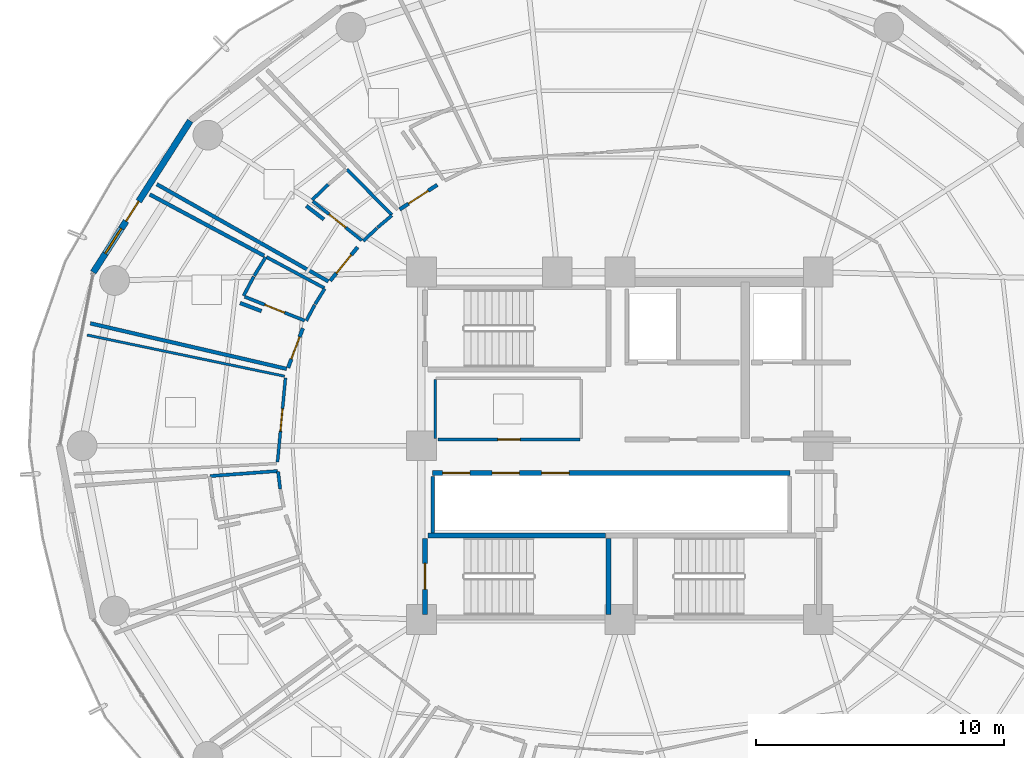
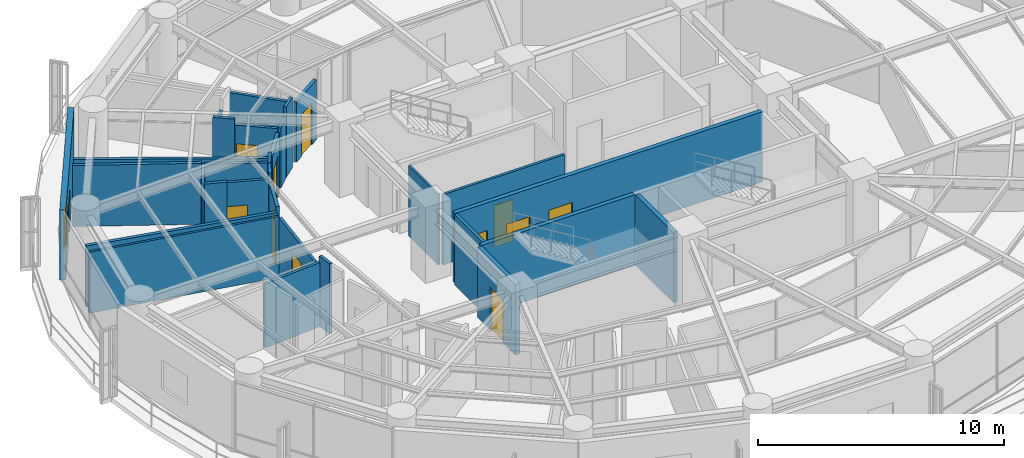
# One storey, part 22 of 27: 31 walls, 12 doors, 1 window, 13 openings.
"""IFC4 building model written with IfcOpenShell, lengths in metres."""

from ifc_helpers import new_model, si_unit, direction, frame, frame_2d, origin, place, context, subcontext, project, spatial, rectangle, extrude, material, layer, layer_set, type_object, element, fill, save


model = new_model("IFC4")

# Units and contexts
model_context = context("Model", 3, precision=1e-05, world=origin(), true_north=direction((0.0, 1.0)))
body_context = subcontext(model_context, "Body", "Model", "MODEL_VIEW")
ifc_project = project(units=[si_unit("LENGTHUNIT", "METRE"), si_unit("AREAUNIT", "SQUARE_METRE"), si_unit("VOLUMEUNIT", "CUBIC_METRE"), si_unit("PLANEANGLEUNIT", "RADIAN"), si_unit("MASSUNIT", "GRAM", prefix="KILO")], contexts=[model_context])

# Site, building, storey
site_placement = place(None, origin())
site = spatial("IfcSite", under=ifc_project, at=site_placement, CompositionType="ELEMENT")
building_placement = place(site_placement, origin())
building = spatial("IfcBuilding", under=site, at=building_placement, Name="Kelanora Arch Commons", CompositionType="ELEMENT")
storey_placement = place(building_placement, frame((0.0, 0.0, 143.10009765625)))
storey = spatial("IfcBuildingStorey", under=building, at=storey_placement, Name="L36", CompositionType="ELEMENT", Elevation=143.10009765625)

# Wall
ifc_material_1 = material(Name="Autoclaved aerated concrete blockwork with fire plaster", Category="masonry")
ifc_layer_1 = layer(ifc_material_1, 0.14990234375)
ifc_layer_set_1 = layer_set([ifc_layer_1], Name="Autoclaved aerated concrete blockwork with fire plaster")
wall_type_1 = type_object("IfcWallType", Name="W-COMP-150", PredefinedType="PARTITIONING", material=ifc_layer_set_1)
wall_1_placement = place(storey_placement, frame((66.4599609375, 54.47998046875, 0.0), z_axis=(0.0, 0.0, 1.0), x_axis=(0.0, 1.0, 0.0)))
element("IfcWall", 1, at=wall_1_placement, inside=storey, type_object=wall_type_1, Name="South Lift Bank West Wall L36", PredefinedType="PARTITIONING", context=body_context, shape_type="SweptSolid", body=[
    extrude(rectangle(XDim=2.2900390625, YDim=0.14990234375, at=frame_2d((1.14501953125, 0.0))), origin(), (0.0, 0.0, 1.0), 3.47998046875),
])

# Wall, opening, door
wall_2_placement = place(storey_placement, frame((66.63671875, 68.51708984375, 0.0), z_axis=(0.0, 0.0, 1.0), x_axis=(-0.836795974783, -0.547514836864, 0.0)))
wall_2 = element("IfcWall", 2, at=wall_2_placement, inside=storey, type_object=wall_type_1, Name="Cluster Bedroom L36-01 Entry Partition", PredefinedType="PARTITIONING", context=body_context, shape_type="SweptSolid", body=[
    extrude(rectangle(XDim=1.80859375, YDim=0.14990234375, at=frame_2d((0.904296875, 0.0))), origin(), (0.0, 0.0, 1.0), 2.974853515625),
])
opening_1_placement = place(wall_2_placement, frame((0.428955078125, 0.0, 0.0)))
opening_1 = element("IfcOpeningElement", 3, at=opening_1_placement, cuts=wall_2, Name="Opening D-CLU1", PredefinedType="OPENING", context=body_context, shape_type="SweptSolid", body=[
    extrude(rectangle(XDim=0.949951171875, YDim=2.080078125, at=frame_2d((0.47509765625, 1.0400390625))), frame((0.0, 0.0849609375, 0.0), z_axis=(0.0, -1.0, 0.0), x_axis=(1.0, 0.0, 0.0)), (0.0, 0.0, 1.0), 0.169921875),
])
ifc_material_2 = material(Name="Solid-core acoustic timber cluster entry fire door", Category="wood")
door_type_1 = type_object("IfcDoorType", Name="D-CLU-95", OperationType="NOTDEFINED", PredefinedType="DOOR", material=ifc_material_2)
door_1_placement = place(opening_1_placement, origin())
door_1 = element("IfcDoor", 4, at=door_1_placement, inside=storey, type_object=door_type_1, Name="Cluster Bedroom L36-01 Door", OperationType="SINGLE_SWING_LEFT", OverallHeight=2.080078125, OverallWidth=0.949951171875, PredefinedType="DOOR", context=body_context, shape_type="SweptSolid", body=[
    extrude(rectangle(XDim=0.949951171875, YDim=2.080078125, at=frame_2d((0.47509765625, 1.0400390625))), frame((0.0, 0.02490234375, 0.0), z_axis=(0.0, -1.0, 0.0), x_axis=(1.0, 0.0, 0.0)), (0.0, 0.0, 1.0), 0.050048828125),
])
fill(opening_1, door_1)

wall_3_placement = place(storey_placement, frame((63.426025390625, 66.005615234375, 0.0), z_axis=(0.0, 0.0, 1.0), x_axis=(-0.63192798372, -0.775027111391, 0.0)))
wall_3 = element("IfcWall", 5, at=wall_3_placement, inside=storey, type_object=wall_type_1, Name="Cluster Bedroom L36-02 Entry Partition", PredefinedType="PARTITIONING", context=body_context, shape_type="SweptSolid", body=[
    extrude(rectangle(XDim=1.7470703125, YDim=0.14990234375, at=frame_2d((0.87353515625, 0.0))), origin(), (0.0, 0.0, 1.0), 2.974853515625),
])
opening_2_placement = place(wall_3_placement, frame((0.39892578125, 0.0, 0.0)))
opening_2 = element("IfcOpeningElement", 6, at=opening_2_placement, cuts=wall_3, Name="Opening D-CLU1", PredefinedType="OPENING", context=body_context, shape_type="SweptSolid", body=[
    extrude(rectangle(XDim=0.949951171875, YDim=2.080078125, at=frame_2d((0.47509765625, 1.0400390625))), frame((0.0, 0.0849609375, 0.0), z_axis=(0.0, -1.0, 0.0), x_axis=(1.0, 0.0, 0.0)), (0.0, 0.0, 1.0), 0.169921875),
])
door_2_placement = place(opening_2_placement, origin())
door_2 = element("IfcDoor", 7, at=door_2_placement, inside=storey, type_object=door_type_1, Name="Cluster Bedroom L36-02 Door", OperationType="SINGLE_SWING_LEFT", OverallHeight=2.080078125, OverallWidth=0.949951171875, PredefinedType="DOOR", context=body_context, shape_type="SweptSolid", body=[
    extrude(rectangle(XDim=0.949951171875, YDim=2.080078125, at=frame_2d((0.47509765625, 1.0400390625))), frame((0.0, 0.02490234375, 0.0), z_axis=(0.0, -1.0, 0.0), x_axis=(1.0, 0.0, 0.0)), (0.0, 0.0, 1.0), 0.050048828125),
])
fill(opening_2, door_2)

wall_4_placement = place(storey_placement, frame((61.218017578125, 62.73583984375, 0.0), z_axis=(0.0, 0.0, 1.0), x_axis=(-0.349718783302, -0.93685472332, 0.0)))
wall_4 = element("IfcWall", 8, at=wall_4_placement, inside=storey, type_object=wall_type_1, Name="Cluster Bedroom L36-03 Entry Partition", PredefinedType="PARTITIONING", context=body_context, shape_type="SweptSolid", body=[
    extrude(rectangle(XDim=1.69580078125, YDim=0.14990234375, at=frame_2d((0.847900390625, 0.0))), origin(), (0.0, 0.0, 1.0), 3.23486328125),
])
opening_3_placement = place(wall_4_placement, frame((0.373046875, 0.0, 0.0)))
opening_3 = element("IfcOpeningElement", 9, at=opening_3_placement, cuts=wall_4, Name="Opening D-CLU1", PredefinedType="OPENING", context=body_context, shape_type="SweptSolid", body=[
    extrude(rectangle(XDim=0.949951171875, YDim=2.080078125, at=frame_2d((0.47509765625, 1.0400390625))), frame((0.0, 0.0849609375, 0.0), z_axis=(0.0, -1.0, 0.0), x_axis=(1.0, 0.0, 0.0)), (0.0, 0.0, 1.0), 0.169921875),
])
door_3_placement = place(opening_3_placement, origin())
door_3 = element("IfcDoor", 10, at=door_3_placement, inside=storey, type_object=door_type_1, Name="Cluster Bedroom L36-03 Door", OperationType="SINGLE_SWING_LEFT", OverallHeight=2.080078125, OverallWidth=0.949951171875, PredefinedType="DOOR", context=body_context, shape_type="SweptSolid", body=[
    extrude(rectangle(XDim=0.949951171875, YDim=2.080078125, at=frame_2d((0.47509765625, 1.0400390625))), frame((0.0, 0.02490234375, 0.0), z_axis=(0.0, -1.0, 0.0), x_axis=(1.0, 0.0, 0.0)), (0.0, 0.0, 1.0), 0.050048828125),
])
fill(opening_3, door_3)

# Walls
wall_5_placement = place(storey_placement, frame((62.249267578125, 64.624755859375, 0.0), z_axis=(0.0, 0.0, 1.0), x_axis=(-0.870077493263, 0.492914957896, 0.0)))
element("IfcWall", 11, at=wall_5_placement, inside=storey, type_object=wall_type_1, Name="Cluster Bedroom L36-02 Enclosure Partition 2", PredefinedType="PARTITIONING", context=body_context, shape_type="SweptSolid", body=[
    extrude(rectangle(XDim=7.95166015625, YDim=0.14990234375, at=frame_2d((3.975830078125, 0.0))), origin(), (0.0, 0.0, 1.0), 2.974853515625),
])
wall_6_placement = place(storey_placement, frame((61.359619140625, 67.668701171875, 0.0), z_axis=(0.0, 0.0, 1.0), x_axis=(0.793020417561, -0.609195056884, 0.0)))
element("IfcWall", 12, at=wall_6_placement, inside=storey, type_object=wall_type_1, Name="Cluster Bedroom L36-02 Enclosure Partition 7", PredefinedType="PARTITIONING", context=body_context, shape_type="SweptSolid", body=[
    extrude(rectangle(XDim=0.892578125, YDim=0.14990234375, at=frame_2d((0.4462890625, 0.0))), origin(), (0.0, 0.0, 1.0), 3.47998046875),
])
wall_7_placement = place(storey_placement, frame((60.56494140625, 61.10009765625, 0.0), z_axis=(0.0, 0.0, 1.0), x_axis=(-0.97414388338, 0.225928516292, 0.0)))
element("IfcWall", 13, at=wall_7_placement, inside=storey, type_object=wall_type_1, Name="Cluster Bedroom L36-03 Enclosure Partition 2", PredefinedType="PARTITIONING", context=body_context, shape_type="SweptSolid", body=[
    extrude(rectangle(XDim=8.121826171875, YDim=0.14990234375, at=frame_2d((4.06103515625, 0.0))), origin(), (0.0, 0.0, 1.0), 3.02490234375),
])
wall_8_placement = place(storey_placement, frame((55.04931640625, 68.131103515625, 0.0), z_axis=(0.0, 0.0, 1.0), x_axis=(0.881257916537, -0.472635678447, 0.0)))
element("IfcWall", 14, at=wall_8_placement, inside=storey, type_object=wall_type_1, Name="Cluster Bedroom L36-03 Enclosure Partition 5", PredefinedType="PARTITIONING", context=body_context, shape_type="SweptSolid", body=[
    extrude(rectangle(XDim=5.232666015625, YDim=0.14990234375, at=frame_2d((2.6162109375, 0.0))), origin(), (0.0, 0.0, 1.0), 3.02490234375),
])
wall_9_placement = place(storey_placement, frame((58.6884765625, 63.7548828125, 0.0), z_axis=(0.0, 0.0, 1.0), x_axis=(0.935532386314, -0.353240929336, 0.0)))
element("IfcWall", 15, at=wall_9_placement, inside=storey, type_object=wall_type_1, Name="Cluster Bedroom L36-03 Enclosure Partition 7", PredefinedType="PARTITIONING", context=body_context, shape_type="SweptSolid", body=[
    extrude(rectangle(XDim=0.921875, YDim=0.14990234375, at=frame_2d((0.4609375, 0.0))), origin(), (0.0, 0.0, 1.0), 3.47998046875),
])

# Wall, openings, door, window
ifc_material_3 = material(Name="Precast concrete C40/50 with terracotta rainscreen", Category="masonry")
ifc_layer_2 = layer(ifc_material_3, 0.260009765625)
ifc_layer_set_2 = layer_set([ifc_layer_2], Name="Precast concrete C40/50 with terracotta rainscreen")
wall_type_2 = type_object("IfcWallType", Name="W-EXT-TC", PredefinedType="SOLIDWALL", material=ifc_layer_set_2)
wall_10_placement = place(storey_placement, frame((56.67919921875, 71.100341796875, 0.0), z_axis=(0.0, 0.0, 1.0), x_axis=(-0.538801521808, -0.842432739213, 0.0)))
wall_10 = element("IfcWall", 16, at=wall_10_placement, inside=storey, type_object=wall_type_2, Name="Terracotta Exterior Wall L36-B07", PredefinedType="SOLIDWALL", context=body_context, shape_type="SweptSolid", body=[
    extrude(rectangle(XDim=7.25341796875, YDim=0.260009765625, at=frame_2d((3.626708984375, 0.0))), origin(), (0.0, 0.0, 1.0), 3.474853515625),
])
opening_4_placement = place(wall_10_placement, frame((3.85205078125, 0.0, 0.0)))
opening_4 = element("IfcOpeningElement", 17, at=opening_4_placement, cuts=wall_10, Name="Opening DB-01", PredefinedType="OPENING", context=body_context, shape_type="SweptSolid", body=[
    extrude(rectangle(XDim=0.949951171875, YDim=2.10009765625, at=frame_2d((0.47509765625, 1.050048828125))), frame((0.0, 0.14013671875, 0.0), z_axis=(0.0, -1.0, 0.0), x_axis=(1.0, 0.0, 0.0)), (0.0, 0.0, 1.0), 0.280029296875),
])
opening_5_placement = place(wall_10_placement, frame((5.152099609375, 0.0, 0.85009765625)))
opening_5 = element("IfcOpeningElement", 18, at=opening_5_placement, cuts=wall_10, Name="Opening WN-02", PredefinedType="OPENING", context=body_context, shape_type="SweptSolid", body=[
    extrude(rectangle(XDim=1.199951171875, YDim=1.449951171875, at=frame_2d((0.60009765625, 0.72509765625))), frame((0.0, 0.14013671875, 0.0), z_axis=(0.0, -1.0, 0.0), x_axis=(1.0, 0.0, 0.0)), (0.0, 0.0, 1.0), 0.280029296875),
])
ifc_material_4 = material(Name="Terracotta-aluminium thermally broken glazed balcony door", Category="masonry")
door_type_2 = type_object("IfcDoorType", Name="D-BAL-10", OperationType="NOTDEFINED", PredefinedType="DOOR", material=ifc_material_4)
door_4_placement = place(opening_4_placement, frame((0.949951171875, 0.0, 0.0), z_axis=(0.0, 0.0, 1.0), x_axis=(-1.0, 0.0, 0.0)))
door_4 = element("IfcDoor", 19, at=door_4_placement, inside=storey, type_object=door_type_2, Name="Wave Balcony Door L36-B07", OperationType="SINGLE_SWING_RIGHT", OverallHeight=2.10009765625, OverallWidth=0.949951171875, PredefinedType="DOOR", context=body_context, shape_type="SweptSolid", body=[
    extrude(rectangle(XDim=0.949951171875, YDim=2.10009765625, at=frame_2d((0.47509765625, 1.050048828125))), frame((0.0, 0.02490234375, 0.0), z_axis=(0.0, -1.0, 0.0), x_axis=(1.0, 0.0, 0.0)), (0.0, 0.0, 1.0), 0.050048828125),
])
fill(opening_4, door_4)
ifc_material_5 = material(Name="Terracotta-anodised aluminium frame with operable awning sash", Category="masonry")
window_type = type_object("IfcWindowType", Name="WIN-CL-12", PartitioningType="SINGLE_PANEL", PredefinedType="WINDOW", material=ifc_material_5)
window_placement = place(opening_5_placement, origin())
window = element("IfcWindow", 20, at=window_placement, inside=storey, type_object=window_type, Name="Co-Living Operable Window L36-B07", OverallHeight=1.449951171875, OverallWidth=1.199951171875, PartitioningType="SINGLE_PANEL", PredefinedType="WINDOW", context=body_context, shape_type="SweptSolid", body=[
    extrude(rectangle(XDim=1.199951171875, YDim=1.449951171875, at=frame_2d((0.60009765625, 0.72509765625))), frame((0.0, 0.030029296875, 0.0), z_axis=(0.0, -1.0, 0.0), x_axis=(1.0, 0.0, 0.0)), (0.0, 0.0, 1.0), 0.06005859375),
])
fill(opening_5, window)

# Wall, openings, doors
ifc_material_6 = material(Name="Concrete C40/50", Category="concrete")
ifc_layer_3 = layer(ifc_material_6, 0.199951171875)
ifc_layer_set_3 = layer_set([ifc_layer_3], Name="Concrete C40/50")
wall_type_3 = type_object("IfcWallType", Name="W-FFL-200", PredefinedType="SOLIDWALL", material=ifc_layer_set_3)
wall_11_placement = place(storey_placement, frame((66.449951171875, 56.89990234375, 0.0), z_axis=(0.0, 0.0, 1.0), x_axis=(1.0, 0.0, 0.0)))
wall_11 = element("IfcWall", 21, at=wall_11_placement, inside=storey, type_object=wall_type_3, Name="Mid/High/Express Lift Shaft Front L36", PredefinedType="SOLIDWALL", context=body_context, shape_type="SweptSolid", body=[
    extrude(rectangle(XDim=14.400146484375, YDim=0.199951171875, at=frame_2d((7.2001953125, 0.0))), origin(), (0.0, 0.0, 1.0), 3.47998046875),
])
opening_6_placement = place(wall_11_placement, frame((0.39990234375, 0.0, 0.0)))
opening_6 = element("IfcOpeningElement", 22, at=opening_6_placement, cuts=wall_11, Name="Opening LD-01", PredefinedType="OPENING", context=body_context, shape_type="SweptSolid", body=[
    extrude(rectangle(XDim=1.10009765625, YDim=2.10009765625, at=frame_2d((0.550048828125, 1.050048828125))), frame((0.0, 0.10986328125, 0.0), z_axis=(0.0, -1.0, 0.0), x_axis=(1.0, 0.0, 0.0)), (0.0, 0.0, 1.0), 0.219970703125),
])
opening_7_placement = place(wall_11_placement, frame((2.39990234375, 0.0, 0.0)))
opening_7 = element("IfcOpeningElement", 23, at=opening_7_placement, cuts=wall_11, Name="Opening LD-01", PredefinedType="OPENING", context=body_context, shape_type="SweptSolid", body=[
    extrude(rectangle(XDim=1.10009765625, YDim=2.10009765625, at=frame_2d((0.550048828125, 1.050048828125))), frame((0.0, 0.10986328125, 0.0), z_axis=(0.0, -1.0, 0.0), x_axis=(1.0, 0.0, 0.0)), (0.0, 0.0, 1.0), 0.219970703125),
])
opening_8_placement = place(wall_11_placement, frame((4.39990234375, 0.0, 0.0)))
opening_8 = element("IfcOpeningElement", 24, at=opening_8_placement, cuts=wall_11, Name="Opening LD-01", PredefinedType="OPENING", context=body_context, shape_type="SweptSolid", body=[
    extrude(rectangle(XDim=1.10009765625, YDim=2.10009765625, at=frame_2d((0.550048828125, 1.050048828125))), frame((0.0, 0.10986328125, 0.0), z_axis=(0.0, -1.0, 0.0), x_axis=(1.0, 0.0, 0.0)), (0.0, 0.0, 1.0), 0.219970703125),
])
ifc_material_7 = material(Name="Stainless steel passenger lift sliding landing door", Category="steel")
door_type_3 = type_object("IfcDoorType", Name="D-LIFT-110", OperationType="NOTDEFINED", PredefinedType="DOOR", material=ifc_material_7)
door_5_placement = place(opening_6_placement, origin())
door_5 = element("IfcDoor", 25, at=door_5_placement, inside=storey, type_object=door_type_3, Name="Passenger Lift LF-P4 Landing Door L36", OperationType="DOUBLE_DOOR_SLIDING", OverallHeight=2.10009765625, OverallWidth=1.10009765625, PredefinedType="DOOR", context=body_context, shape_type="SweptSolid", body=[
    extrude(rectangle(XDim=1.10009765625, YDim=2.10009765625, at=frame_2d((0.550048828125, 1.050048828125))), frame((0.0, 0.02490234375, 0.0), z_axis=(0.0, -1.0, 0.0), x_axis=(1.0, 0.0, 0.0)), (0.0, 0.0, 1.0), 0.050048828125),
])
fill(opening_6, door_5)
door_6_placement = place(opening_7_placement, origin())
door_6 = element("IfcDoor", 26, at=door_6_placement, inside=storey, type_object=door_type_3, Name="Passenger Lift LF-P5 Landing Door L36", OperationType="DOUBLE_DOOR_SLIDING", OverallHeight=2.10009765625, OverallWidth=1.10009765625, PredefinedType="DOOR", context=body_context, shape_type="SweptSolid", body=[
    extrude(rectangle(XDim=1.10009765625, YDim=2.10009765625, at=frame_2d((0.550048828125, 1.050048828125))), frame((0.0, 0.02490234375, 0.0), z_axis=(0.0, -1.0, 0.0), x_axis=(1.0, 0.0, 0.0)), (0.0, 0.0, 1.0), 0.050048828125),
])
fill(opening_7, door_6)
door_7_placement = place(opening_8_placement, origin())
door_7 = element("IfcDoor", 27, at=door_7_placement, inside=storey, type_object=door_type_3, Name="Passenger Lift LF-P6 Landing Door L36", OperationType="DOUBLE_DOOR_SLIDING", OverallHeight=2.10009765625, OverallWidth=1.10009765625, PredefinedType="DOOR", context=body_context, shape_type="SweptSolid", body=[
    extrude(rectangle(XDim=1.10009765625, YDim=2.10009765625, at=frame_2d((0.550048828125, 1.050048828125))), frame((0.0, 0.02490234375, 0.0), z_axis=(0.0, -1.0, 0.0), x_axis=(1.0, 0.0, 0.0)), (0.0, 0.0, 1.0), 0.050048828125),
])
fill(opening_8, door_7)

# Walls
ifc_material_8 = material(Name="Lightweight fire-rated acoustic stud partition")
ifc_layer_4 = layer(ifc_material_8, 0.10009765625)
ifc_layer_set_4 = layer_set([ifc_layer_4], Name="Lightweight fire-rated acoustic stud partition")
wall_type_4 = type_object("IfcWallType", Name="W-PART-100", PredefinedType="PARTITIONING", material=ifc_layer_set_4)
wall_12_placement = place(storey_placement, frame((66.550048828125, 60.679931640625, 0.0), z_axis=(0.0, 0.0, 1.0), x_axis=(0.0, -1.0, 0.0)))
element("IfcWall", 28, at=wall_12_placement, inside=storey, type_object=wall_type_4, Name="Reclaimed Core Study Pod Lounge L36 Enclosure Partition 4", PredefinedType="PARTITIONING", context=body_context, shape_type="SweptSolid", body=[
    extrude(rectangle(XDim=2.383056640625, YDim=0.10009765625, at=frame_2d((1.19140625, 0.0))), origin(), (0.0, 0.0, 1.0), 3.47998046875),
])
wall_13_placement = place(storey_placement, frame((52.525146484375, 62.4638671875, 0.0), z_axis=(0.0, 0.0, 1.0), x_axis=(0.978946183013, -0.204118521367, 0.0)))
element("IfcWall", 29, at=wall_13_placement, inside=storey, type_object=wall_type_4, Name="Shared Cluster Kitchen L36-04 Enclosure Partition 4", PredefinedType="PARTITIONING", context=body_context, shape_type="SweptSolid", body=[
    extrude(rectangle(XDim=8.130859375, YDim=0.10009765625, at=frame_2d((4.0654296875, 0.0))), origin(), (0.0, 0.0, 1.0), 3.02490234375),
])

# Wall, opening, door
ifc_material_9 = material(Name="Acoustic twin-stud fire-rated gypsum partition")
ifc_layer_5 = layer(ifc_material_9, 0.1201171875)
ifc_layer_set_5 = layer_set([ifc_layer_5], Name="Acoustic twin-stud fire-rated gypsum partition")
wall_type_5 = type_object("IfcWallType", Name="W-PART-120", PredefinedType="PARTITIONING", material=ifc_layer_set_5)
wall_14_placement = place(storey_placement, frame((66.67529296875, 58.25, 0.0), z_axis=(0.0, 0.0, 1.0), x_axis=(1.0, 0.0, 0.0)))
wall_14 = element("IfcWall", 30, at=wall_14_placement, inside=storey, type_object=wall_type_5, Name="Reclaimed Core Study Pod Lounge L36 Entry Partition", PredefinedType="PARTITIONING", context=body_context, shape_type="SweptSolid", body=[
    extrude(rectangle(XDim=5.714599609375, YDim=0.1201171875, at=frame_2d((2.857421875, 0.0))), origin(), (0.0, 0.0, 1.0), 3.47998046875),
])
opening_9_placement = place(wall_14_placement, frame((2.406982421875, 0.0, 0.0)))
opening_9 = element("IfcOpeningElement", 31, at=opening_9_placement, cuts=wall_14, Name="Opening D-RM1", PredefinedType="OPENING", context=body_context, shape_type="SweptSolid", body=[
    extrude(rectangle(XDim=0.89990234375, YDim=2.080078125, at=frame_2d((0.449951171875, 1.0400390625))), frame((0.0, 0.070068359375, 0.0), z_axis=(0.0, -1.0, 0.0), x_axis=(1.0, 0.0, 0.0)), (0.0, 0.0, 1.0), 0.14013671875),
])
ifc_material_10 = material(Name="Acoustic fire-rated timber study and lounge door", Category="wood")
door_type_4 = type_object("IfcDoorType", Name="D-ROOM-90", OperationType="NOTDEFINED", PredefinedType="DOOR", material=ifc_material_10)
door_8_placement = place(opening_9_placement, origin())
door_8 = element("IfcDoor", 32, at=door_8_placement, inside=storey, type_object=door_type_4, Name="Reclaimed Core Study Pod Lounge L36 Door", OperationType="SINGLE_SWING_LEFT", OverallHeight=2.080078125, OverallWidth=0.89990234375, PredefinedType="DOOR", context=body_context, shape_type="SweptSolid", body=[
    extrude(rectangle(XDim=0.89990234375, YDim=2.080078125, at=frame_2d((0.449951171875, 1.0400390625))), frame((0.0, 0.02490234375, 0.0), z_axis=(0.0, -1.0, 0.0), x_axis=(1.0, 0.0, 0.0)), (0.0, 0.0, 1.0), 0.050048828125),
])
fill(opening_9, door_8)

wall_15_placement = place(storey_placement, frame((60.518310546875, 60.736328125, 0.0), z_axis=(0.0, 0.0, 1.0), x_axis=(-0.093855600535, -0.995585820634, 0.0)))
wall_15 = element("IfcWall", 33, at=wall_15_placement, inside=storey, type_object=wall_type_5, Name="Shared Cluster Kitchen L36-04 Entry Partition", PredefinedType="PARTITIONING", context=body_context, shape_type="SweptSolid", body=[
    extrude(rectangle(XDim=3.40771484375, YDim=0.1201171875, at=frame_2d((1.703857421875, 0.0))), origin(), (0.0, 0.0, 1.0), 2.974853515625),
])
opening_10_placement = place(wall_15_placement, frame((1.25390625, 0.0, 0.0)))
opening_10 = element("IfcOpeningElement", 34, at=opening_10_placement, cuts=wall_15, Name="Opening D-RM1", PredefinedType="OPENING", context=body_context, shape_type="SweptSolid", body=[
    extrude(rectangle(XDim=0.89990234375, YDim=2.080078125, at=frame_2d((0.449951171875, 1.0400390625))), frame((0.0, 0.070068359375, 0.0), z_axis=(0.0, -1.0, 0.0), x_axis=(1.0, 0.0, 0.0)), (0.0, 0.0, 1.0), 0.14013671875),
])
door_9_placement = place(opening_10_placement, origin())
door_9 = element("IfcDoor", 35, at=door_9_placement, inside=storey, type_object=door_type_4, Name="Shared Cluster Kitchen L36-04 Door", OperationType="SINGLE_SWING_RIGHT", OverallHeight=2.080078125, OverallWidth=0.89990234375, PredefinedType="DOOR", context=body_context, shape_type="SweptSolid", body=[
    extrude(rectangle(XDim=0.89990234375, YDim=2.080078125, at=frame_2d((0.449951171875, 1.0400390625))), frame((0.0, 0.02490234375, 0.0), z_axis=(0.0, -1.0, 0.0), x_axis=(1.0, 0.0, 0.0)), (0.0, 0.0, 1.0), 0.050048828125),
])
fill(opening_10, door_9)

# Walls
ifc_layer_6 = layer(ifc_material_6, 0.199951171875)
ifc_layer_set_6 = layer_set([ifc_layer_6], Name="Concrete C40/50")
wall_type_6 = type_object("IfcWallType", Name="W-STAIR-200", PredefinedType="SHEAR", material=ifc_layer_set_6)
wall_16_placement = place(storey_placement, frame((73.5400390625, 51.199951171875, 0.0), z_axis=(0.0, 0.0, 1.0), x_axis=(0.0, 1.0, 0.0)))
element("IfcWall", 36, at=wall_16_placement, inside=storey, type_object=wall_type_6, Name="Stair ST-T3 Shaft Wall E L36", PredefinedType="SHEAR", context=body_context, shape_type="SweptSolid", body=[
    extrude(rectangle(XDim=3.070068359375, YDim=0.199951171875, at=frame_2d((1.53515625, 0.0))), origin(), (0.0, 0.0, 1.0), 3.489990234375),
])
wall_17_placement = place(storey_placement, frame((73.419921875, 54.389892578125, 0.0), z_axis=(0.0, 0.0, 1.0), x_axis=(-1.0, 0.0, 0.0)))
element("IfcWall", 37, at=wall_17_placement, inside=storey, type_object=wall_type_6, Name="Stair ST-T3 Shaft Wall N L36", PredefinedType="SHEAR", context=body_context, shape_type="SweptSolid", body=[
    extrude(rectangle(XDim=7.159912109375, YDim=0.199951171875, at=frame_2d((3.580078125, 0.0))), origin(), (0.0, 0.0, 1.0), 3.489990234375),
])

# Wall, opening, door
wall_18_placement = place(storey_placement, frame((66.139892578125, 54.27001953125, 0.0), z_axis=(0.0, 0.0, 1.0), x_axis=(0.0, -1.0, 0.0)))
wall_18 = element("IfcWall", 38, at=wall_18_placement, inside=storey, type_object=wall_type_6, Name="Stair ST-T3 Shaft Wall W L36", PredefinedType="SHEAR", context=body_context, shape_type="SweptSolid", body=[
    extrude(rectangle(XDim=3.070068359375, YDim=0.199951171875, at=frame_2d((1.53515625, 0.0))), origin(), (0.0, 0.0, 1.0), 3.489990234375),
])
opening_11_placement = place(wall_18_placement, frame((1.010009765625, 0.0, 0.0)))
opening_11 = element("IfcOpeningElement", 39, at=opening_11_placement, cuts=wall_18, Name="Opening D-ST1", PredefinedType="OPENING", context=body_context, shape_type="SweptSolid", body=[
    extrude(rectangle(XDim=1.050048828125, YDim=2.10009765625, at=frame_2d((0.52490234375, 1.050048828125))), frame((0.0, 0.10986328125, 0.0), z_axis=(0.0, -1.0, 0.0), x_axis=(1.0, 0.0, 0.0)), (0.0, 0.0, 1.0), 0.219970703125),
])
ifc_material_11 = material(Name="Steel fire-rated stairwell escape door", Category="steel")
door_type_5 = type_object("IfcDoorType", Name="D-STAIR-110", OperationType="NOTDEFINED", PredefinedType="DOOR", material=ifc_material_11)
door_10_placement = place(opening_11_placement, origin())
door_10 = element("IfcDoor", 40, at=door_10_placement, inside=storey, type_object=door_type_5, Name="Stair ST-T3 Escape Door L36", OperationType="SINGLE_SWING_LEFT", OverallHeight=2.10009765625, OverallWidth=1.050048828125, PredefinedType="DOOR", context=body_context, shape_type="SweptSolid", body=[
    extrude(rectangle(XDim=1.050048828125, YDim=2.10009765625, at=frame_2d((0.52490234375, 1.050048828125))), frame((0.0, 0.02490234375, 0.0), z_axis=(0.0, -1.0, 0.0), x_axis=(1.0, 0.0, 0.0)), (0.0, 0.0, 1.0), 0.050048828125),
])
fill(opening_11, door_10)

ifc_material_12 = material(Name="Moisture-resistant fire-rated cement-board plumbing wall")
ifc_layer_7 = layer(ifc_material_12, 0.1298828125)
ifc_layer_set_7 = layer_set([ifc_layer_7], Name="Moisture-resistant fire-rated cement-board plumbing wall")
wall_type_7 = type_object("IfcWallType", Name="W-WET-120", PredefinedType="PLUMBINGWALL", material=ifc_layer_set_7)
wall_19_placement = place(storey_placement, frame((63.59912109375, 66.2783203125, 0.0), z_axis=(0.0, 0.0, 1.0), x_axis=(-0.781386491078, 0.624047395284, 0.0)))
wall_19 = element("IfcWall", 41, at=wall_19_placement, inside=storey, type_object=wall_type_7, Name="En-Suite Shower WC L36-02 Entry Partition", PredefinedType="PLUMBINGWALL", context=body_context, shape_type="SweptSolid", body=[
    extrude(rectangle(XDim=2.529296875, YDim=0.1298828125, at=frame_2d((1.2646484375, 0.0))), origin(), (0.0, 0.0, 1.0), 2.974853515625),
])
opening_12_placement = place(wall_19_placement, frame((0.8349609375, 0.0, 0.0)))
opening_12 = element("IfcOpeningElement", 42, at=opening_12_placement, cuts=wall_19, Name="Opening D-BT1", PredefinedType="OPENING", context=body_context, shape_type="SweptSolid", body=[
    extrude(rectangle(XDim=0.860107421875, YDim=2.050048828125, at=frame_2d((0.43017578125, 1.02490234375))), frame((0.0, 0.074951171875, 0.0), z_axis=(0.0, -1.0, 0.0), x_axis=(1.0, 0.0, 0.0)), (0.0, 0.0, 1.0), 0.14990234375),
])
ifc_material_13 = material(Name="Moisture-sealed fire-rated accessible bathroom door")
door_type_6 = type_object("IfcDoorType", Name="D-BATH-85", OperationType="NOTDEFINED", PredefinedType="DOOR", material=ifc_material_13)
door_11_placement = place(opening_12_placement, origin())
door_11 = element("IfcDoor", 43, at=door_11_placement, inside=storey, type_object=door_type_6, Name="En-Suite Shower WC L36-02 Door", OperationType="SINGLE_SWING_RIGHT", OverallHeight=2.050048828125, OverallWidth=0.860107421875, PredefinedType="DOOR", context=body_context, shape_type="SweptSolid", body=[
    extrude(rectangle(XDim=0.860107421875, YDim=2.050048828125, at=frame_2d((0.43017578125, 1.02490234375))), frame((0.0, 0.02490234375, 0.0), z_axis=(0.0, -1.0, 0.0), x_axis=(1.0, 0.0, 0.0)), (0.0, 0.0, 1.0), 0.050048828125),
])
fill(opening_12, door_11)

wall_20_placement = place(storey_placement, frame((61.293212890625, 63.044189453125, 0.0), z_axis=(0.0, 0.0, 1.0), x_axis=(-0.929051463741, 0.369950507123, 0.0)))
wall_20 = element("IfcWall", 44, at=wall_20_placement, inside=storey, type_object=wall_type_7, Name="En-Suite Shower WC L36-03 Entry Partition", PredefinedType="PLUMBINGWALL", context=body_context, shape_type="SweptSolid", body=[
    extrude(rectangle(XDim=2.60205078125, YDim=0.1298828125, at=frame_2d((1.301025390625, 0.0))), origin(), (0.0, 0.0, 1.0), 3.23486328125),
])
opening_13_placement = place(wall_20_placement, frame((0.87109375, 0.0, 0.0)))
opening_13 = element("IfcOpeningElement", 45, at=opening_13_placement, cuts=wall_20, Name="Opening D-BT1", PredefinedType="OPENING", context=body_context, shape_type="SweptSolid", body=[
    extrude(rectangle(XDim=0.860107421875, YDim=2.050048828125, at=frame_2d((0.43017578125, 1.02490234375))), frame((0.0, 0.074951171875, 0.0), z_axis=(0.0, -1.0, 0.0), x_axis=(1.0, 0.0, 0.0)), (0.0, 0.0, 1.0), 0.14990234375),
])
door_12_placement = place(opening_13_placement, origin())
door_12 = element("IfcDoor", 46, at=door_12_placement, inside=storey, type_object=door_type_6, Name="En-Suite Shower WC L36-03 Door", OperationType="SINGLE_SWING_RIGHT", OverallHeight=2.050048828125, OverallWidth=0.860107421875, PredefinedType="DOOR", context=body_context, shape_type="SweptSolid", body=[
    extrude(rectangle(XDim=0.860107421875, YDim=2.050048828125, at=frame_2d((0.43017578125, 1.02490234375))), frame((0.0, 0.02490234375, 0.0), z_axis=(0.0, -1.0, 0.0), x_axis=(1.0, 0.0, 0.0)), (0.0, 0.0, 1.0), 0.050048828125),
])
fill(opening_13, door_12)

# Walls
wall_21_placement = place(storey_placement, frame((64.802734375, 67.281982421875, 0.0), z_axis=(0.0, 0.0, 1.0), x_axis=(-0.762941836055, -0.646467133578, 0.0)))
element("IfcWall", 47, at=wall_21_placement, inside=storey, type_object=wall_type_7, Name="En-Suite Shower WC L36-02 Enclosure Partition 1", PredefinedType="PLUMBINGWALL", context=body_context, shape_type="SweptSolid", body=[
    extrude(rectangle(XDim=0.75048828125, YDim=0.1298828125, at=frame_2d((0.375244140625, 0.0))), origin(), (0.0, 0.0, 1.0), 3.47998046875),
])
wall_22_placement = place(storey_placement, frame((64.200439453125, 66.770263671875, 0.0), z_axis=(0.0, 0.0, 1.0), x_axis=(-0.723429788657, -0.690397958343, 0.0)))
element("IfcWall", 48, at=wall_22_placement, inside=storey, type_object=wall_type_7, Name="En-Suite Shower WC L36-02 Enclosure Partition 2", PredefinedType="PLUMBINGWALL", context=body_context, shape_type="SweptSolid", body=[
    extrude(rectangle(XDim=0.74658203125, YDim=0.1298828125, at=frame_2d((0.373291015625, 0.0))), origin(), (0.0, 0.0, 1.0), 2.974853515625),
])
wall_23_placement = place(storey_placement, frame((61.590576171875, 67.90771484375, 0.0), z_axis=(0.0, 0.0, 1.0), x_axis=(0.722606643047, 0.691259458831, 0.0)))
element("IfcWall", 49, at=wall_23_placement, inside=storey, type_object=wall_type_7, Name="En-Suite Shower WC L36-02 Enclosure Partition 4", PredefinedType="PLUMBINGWALL", context=body_context, shape_type="SweptSolid", body=[
    extrude(rectangle(XDim=0.9033203125, YDim=0.1298828125, at=frame_2d((0.45166015625, 0.0))), origin(), (0.0, 0.0, 1.0), 2.974853515625),
])
wall_24_placement = place(storey_placement, frame((62.99609375, 69.144775390625, 0.0), z_axis=(0.0, 0.0, 1.0), x_axis=(0.701684931383, -0.712487373271, 0.0)))
element("IfcWall", 50, at=wall_24_placement, inside=storey, type_object=wall_type_7, Name="En-Suite Shower WC L36-02 Enclosure Partition 6", PredefinedType="PLUMBINGWALL", context=body_context, shape_type="SweptSolid", body=[
    extrude(rectangle(XDim=2.576416015625, YDim=0.1298828125, at=frame_2d((1.2880859375, 0.0))), origin(), (0.0, 0.0, 1.0), 3.23486328125),
])
wall_25_placement = place(storey_placement, frame((62.097412109375, 64.3291015625, 0.0), z_axis=(0.0, 0.0, 1.0), x_axis=(-0.524547607878, -0.851381117402, 0.0)))
element("IfcWall", 51, at=wall_25_placement, inside=storey, type_object=wall_type_7, Name="En-Suite Shower WC L36-03 Enclosure Partition 1", PredefinedType="PLUMBINGWALL", context=body_context, shape_type="SweptSolid", body=[
    extrude(rectangle(XDim=0.72607421875, YDim=0.1298828125, at=frame_2d((0.363037109375, 0.0))), origin(), (0.0, 0.0, 1.0), 3.47998046875),
])
wall_26_placement = place(storey_placement, frame((61.696533203125, 63.67626953125, 0.0), z_axis=(0.0, 0.0, 1.0), x_axis=(-0.469163481751, -0.88311133352, 0.0)))
element("IfcWall", 52, at=wall_26_placement, inside=storey, type_object=wall_type_7, Name="En-Suite Shower WC L36-03 Enclosure Partition 2", PredefinedType="PLUMBINGWALL", context=body_context, shape_type="SweptSolid", body=[
    extrude(rectangle(XDim=0.720703125, YDim=0.1298828125, at=frame_2d((0.3603515625, 0.0))), origin(), (0.0, 0.0, 1.0), 3.47998046875),
])
wall_27_placement = place(storey_placement, frame((58.829345703125, 64.046630859375, 0.0), z_axis=(0.0, 0.0, 1.0), x_axis=(0.469311809042, 0.883032516895, 0.0)))
element("IfcWall", 53, at=wall_27_placement, inside=storey, type_object=wall_type_7, Name="En-Suite Shower WC L36-03 Enclosure Partition 4", PredefinedType="PLUMBINGWALL", context=body_context, shape_type="SweptSolid", body=[
    extrude(rectangle(XDim=0.8740234375, YDim=0.1298828125, at=frame_2d((0.43701171875, 0.0))), origin(), (0.0, 0.0, 1.0), 2.974853515625),
])
wall_28_placement = place(storey_placement, frame((59.259521484375, 64.85302734375, 0.0), z_axis=(0.0, 0.0, 1.0), x_axis=(0.524097425664, 0.851658316705, 0.0)))
element("IfcWall", 54, at=wall_28_placement, inside=storey, type_object=wall_type_7, Name="En-Suite Shower WC L36-03 Enclosure Partition 5", PredefinedType="PLUMBINGWALL", context=body_context, shape_type="SweptSolid", body=[
    extrude(rectangle(XDim=0.87939453125, YDim=0.1298828125, at=frame_2d((0.439697265625, 0.0))), origin(), (0.0, 0.0, 1.0), 2.974853515625),
])
wall_29_placement = place(storey_placement, frame((59.74853515625, 65.609619140625, 0.0), z_axis=(0.0, 0.0, 1.0), x_axis=(0.881540078275, -0.472109193296, 0.0)))
element("IfcWall", 55, at=wall_29_placement, inside=storey, type_object=wall_type_7, Name="En-Suite Shower WC L36-03 Enclosure Partition 6", PredefinedType="PLUMBINGWALL", context=body_context, shape_type="SweptSolid", body=[
    extrude(rectangle(XDim=2.656494140625, YDim=0.1298828125, at=frame_2d((1.328125, 0.0))), origin(), (0.0, 0.0, 1.0), 2.974853515625),
])
wall_30_placement = place(storey_placement, frame((60.219482421875, 56.962158203125, 0.0), z_axis=(0.0, 0.0, 1.0), x_axis=(0.12297181285, -0.992410163816, 0.0)))
element("IfcWall", 56, at=wall_30_placement, inside=storey, type_object=wall_type_7, Name="En-Suite Shower WC L36-05 Enclosure Partition 1", PredefinedType="PLUMBINGWALL", context=body_context, shape_type="SweptSolid", body=[
    extrude(rectangle(XDim=0.706787109375, YDim=0.1298828125, at=frame_2d((0.353515625, 0.0))), origin(), (0.0, 0.0, 1.0), 3.47998046875),
])
wall_31_placement = place(storey_placement, frame((57.48095703125, 56.778564453125, 0.0), z_axis=(0.0, 0.0, 1.0), x_axis=(0.997248398148, 0.074132532608, 0.0)))
element("IfcWall", 57, at=wall_31_placement, inside=storey, type_object=wall_type_7, Name="En-Suite Shower WC L36-05 Enclosure Partition 6", PredefinedType="PLUMBINGWALL", context=body_context, shape_type="SweptSolid", body=[
    extrude(rectangle(XDim=2.7236328125, YDim=0.1298828125, at=frame_2d((1.36181640625, 0.0))), origin(), (0.0, 0.0, 1.0), 3.1748046875),
])

save(model, "model.ifc")
